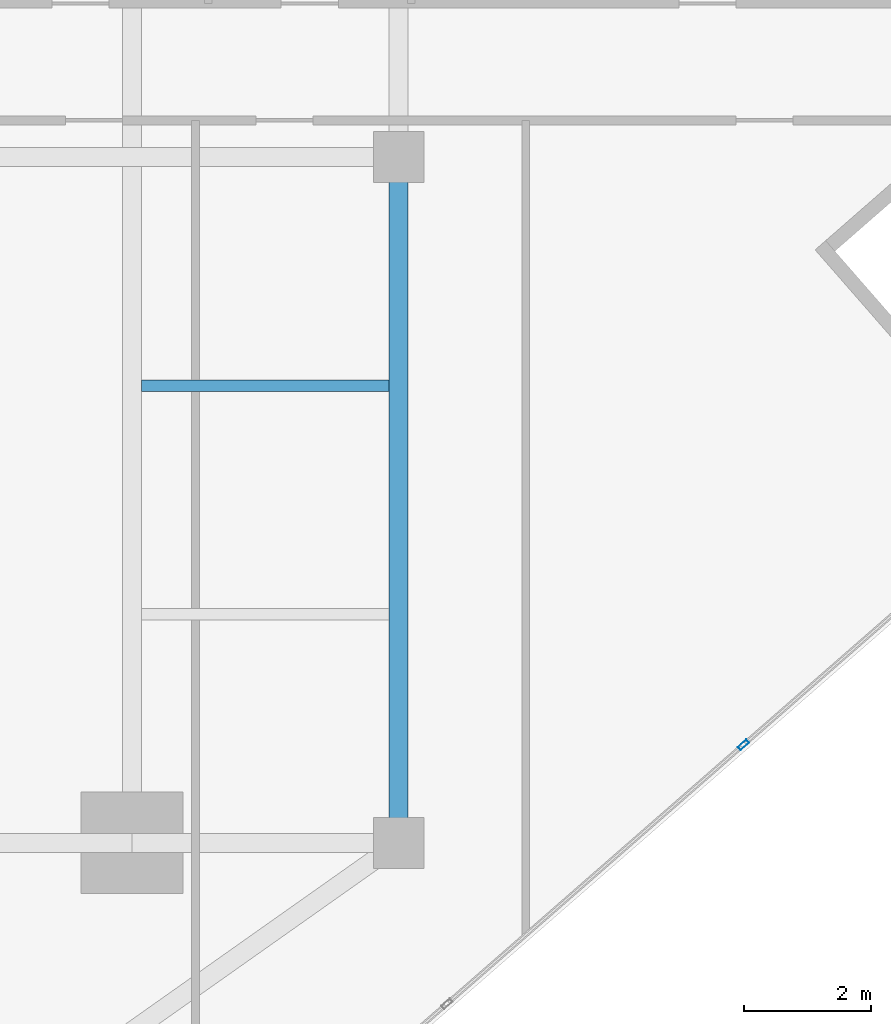
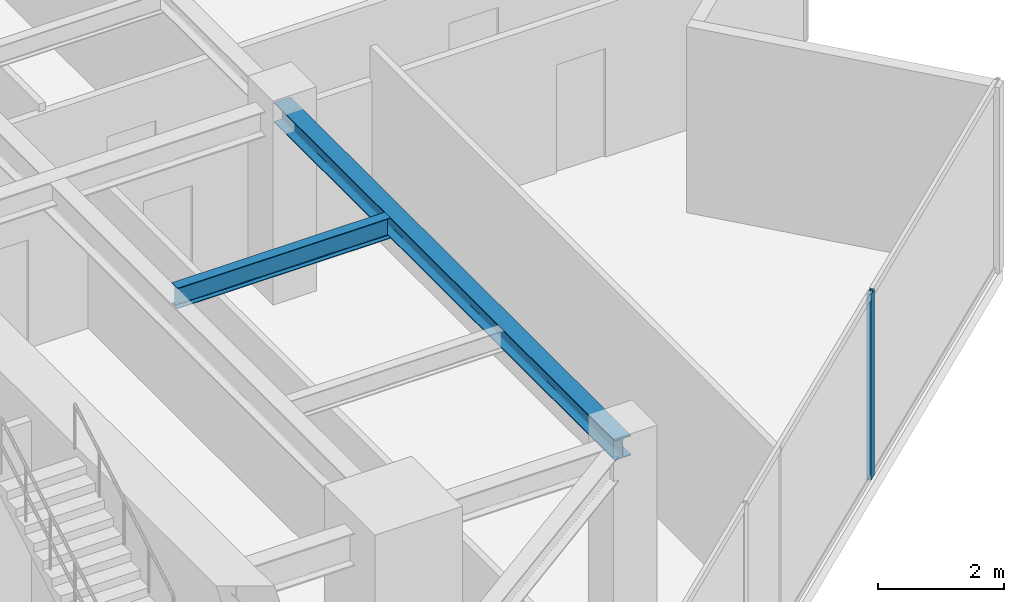
# One storey, part 10 of 24: 2 beams, 1 member, 1 element without a shape of its own.
"""IFC4 building model written with IfcOpenShell, lengths in metres."""

from ifc_helpers import new_model, si_unit, direction, frame, origin, origin_2d, place, context, subcontext, project, spatial, hollow_rectangle, i_section, extrude, source, transform, mapped, material, material_profile, profile_set, type_object, type_shapes, element, aggregate, save


model = new_model("IFC4")

# Units and contexts
model_context = context("Model", 3, precision=1e-05, world=origin(), true_north=direction((0.0, 1.0)))
body_context = subcontext(model_context, "Body", "Model", "MODEL_VIEW")
ifc_project = project(units=[si_unit("LENGTHUNIT", "METRE"), si_unit("AREAUNIT", "SQUARE_METRE"), si_unit("VOLUMEUNIT", "CUBIC_METRE"), si_unit("PLANEANGLEUNIT", "RADIAN"), si_unit("MASSUNIT", "GRAM", prefix="KILO")], contexts=[model_context])

# Site, building, storey
site_placement = place(None, origin())
site = spatial("IfcSite", under=ifc_project, at=site_placement, CompositionType="ELEMENT")
building_placement = place(site_placement, origin())
building = spatial("IfcBuilding", under=site, at=building_placement, Name="Krantzveldt Concourse Tower", CompositionType="ELEMENT")
storey_placement = place(building_placement, frame((0.0, 0.0, 258.64990234375)))
storey = spatial("IfcBuildingStorey", under=building, at=storey_placement, Name="L63", CompositionType="ELEMENT", Elevation=258.64990234375)

# Beams
ifc_material_1 = material(Name="Steel S355JR", Category="steel")
ifc_material_profile_1 = material_profile(ifc_material_1, i_section(OverallWidth=0.300048828125, OverallDepth=0.389892578125, WebThickness=0.010986328125, FlangeThickness=0.01904296875, FilletRadius=0.027099609375, at=origin_2d()), Name="Steel S355JR", Category="steel")
ifc_profile_set_1 = profile_set([ifc_material_profile_1], Name="Steel S355JR - HEA 400")
beam_type_1 = type_object("IfcBeamType", Name="BM-SP-HEA400", PredefinedType="SPANDREL", material=ifc_profile_set_1)
shared_shape_1 = source(origin(), body_context, "Body", "SweptSolid", [
    extrude(i_section(OverallWidth=0.300048828125, OverallDepth=0.389892578125, WebThickness=0.010986328125, FlangeThickness=0.01904296875, FilletRadius=0.027099609375, at=origin_2d()), origin(), (0.0, 0.0, 1.0), 10.800048828125),
])
type_shapes(beam_type_1, [shared_shape_1])
beam_1_placement = place(storey_placement, frame((51.0, 26.699951171875, 3.405029296875), z_axis=(0.0, -1.0, 0.0), x_axis=(1.0, 0.0, 0.0)))
element("IfcBeam", 1, at=beam_1_placement, inside=storey, type_object=beam_type_1, Name="L63 Tower Girder SP-R07", PredefinedType="SPANDREL", context=body_context, shape_type="MappedRepresentation", body=[
    mapped(shared_shape_1, transform((0.0, 0.0, 0.0), x_axis=(1.0, 0.0, 0.0), y_axis=(0.0, 1.0, 0.0), z_axis=(0.0, 0.0, 1.0), scale=1.0)),
])
ifc_material_profile_2 = material_profile(ifc_material_1, i_section(OverallWidth=0.179931640625, OverallDepth=0.39990234375, WebThickness=0.008544921875, FlangeThickness=0.013427734375, FilletRadius=0.02099609375, at=origin_2d()), Name="Steel S355JR", Category="steel")
ifc_profile_set_2 = profile_set([ifc_material_profile_2], Name="Steel S355JR - IPE 400")
beam_type_2 = type_object("IfcBeamType", Name="BM-J-IPE400", PredefinedType="JOIST", material=ifc_profile_set_2)
shared_shape_2 = source(origin(), body_context, "Body", "SweptSolid", [
    extrude(i_section(OverallWidth=0.179931640625, OverallDepth=0.39990234375, WebThickness=0.008544921875, FlangeThickness=0.013427734375, FilletRadius=0.02099609375, at=origin_2d()), origin(), (0.0, 0.0, 1.0), 3.900146484375),
])
type_shapes(beam_type_2, [shared_shape_2])
beam_2_placement = place(storey_placement, frame((46.949951171875, 23.10009765625, 3.400146484375), z_axis=(1.0, 0.0, 0.0), x_axis=(0.0, 1.0, 0.0)))
element("IfcBeam", 2, at=beam_2_placement, inside=storey, type_object=beam_type_2, Name="L63 Secondary Floor Joist JE-2", PredefinedType="JOIST", context=body_context, shape_type="MappedRepresentation", body=[
    mapped(shared_shape_2, transform((0.0, 0.0, 0.0), x_axis=(1.0, 0.0, 0.0), y_axis=(0.0, 1.0, 0.0), z_axis=(0.0, 0.0, 1.0), scale=1.0)),
])

# Curtain wall, member
ifc_material_2 = material(Name="Anodised aluminium 6063-T6", Category="aluminium")
curtain_wall_type = type_object("IfcCurtainWallType", Name="CW3", PredefinedType="USERDEFINED", material=ifc_material_2)
curtain_wall_placement = place(storey_placement, origin())
curtain_wall = element("IfcCurtainWall", 3, at=curtain_wall_placement, inside=storey, type_object=curtain_wall_type, Name="CW-L63-F07", ObjectType="UNITISED CURTAIN WALL", PredefinedType="USERDEFINED")
ifc_material_profile_3 = material_profile(ifc_material_2, hollow_rectangle(XDim=0.070068359375, YDim=0.179931640625, WallThickness=0.0048828125, at=origin_2d()), Name="Anodised aluminium 6063-T6", Category="aluminium")
ifc_profile_set_3 = profile_set([ifc_material_profile_3], Name="Anodised aluminium 6063-T6 - ALU-MULL 180x70x5")
member_type = type_object("IfcMemberType", Name="CW-MUL-180", PredefinedType="MULLION", material=ifc_profile_set_3)
shared_shape_3 = source(origin(), body_context, "Body", "SweptSolid", [
    extrude(hollow_rectangle(XDim=0.070068359375, YDim=0.179931640625, WallThickness=0.0048828125, at=origin_2d()), origin(), (0.0, 0.0, 1.0), 3.60009765625),
])
type_shapes(member_type, [shared_shape_3])
member_placement = place(storey_placement, frame((56.42919921875, 17.4423828125, 0.0), z_axis=(0.0, 0.0, 1.0), x_axis=(-0.657703938567, 0.753276529034, 0.0)))
member = element("IfcMember", 4, at=member_placement, type_object=member_type, Name="CW-Z34 mullion 5", PredefinedType="MULLION", context=body_context, shape_type="MappedRepresentation", body=[
    mapped(shared_shape_3, transform((0.0, 0.0, 0.0), x_axis=(1.0, 0.0, 0.0), y_axis=(0.0, 1.0, 0.0), z_axis=(0.0, 0.0, 1.0), scale=1.0)),
])
aggregate(curtain_wall, [member])

save(model, "model.ifc")
